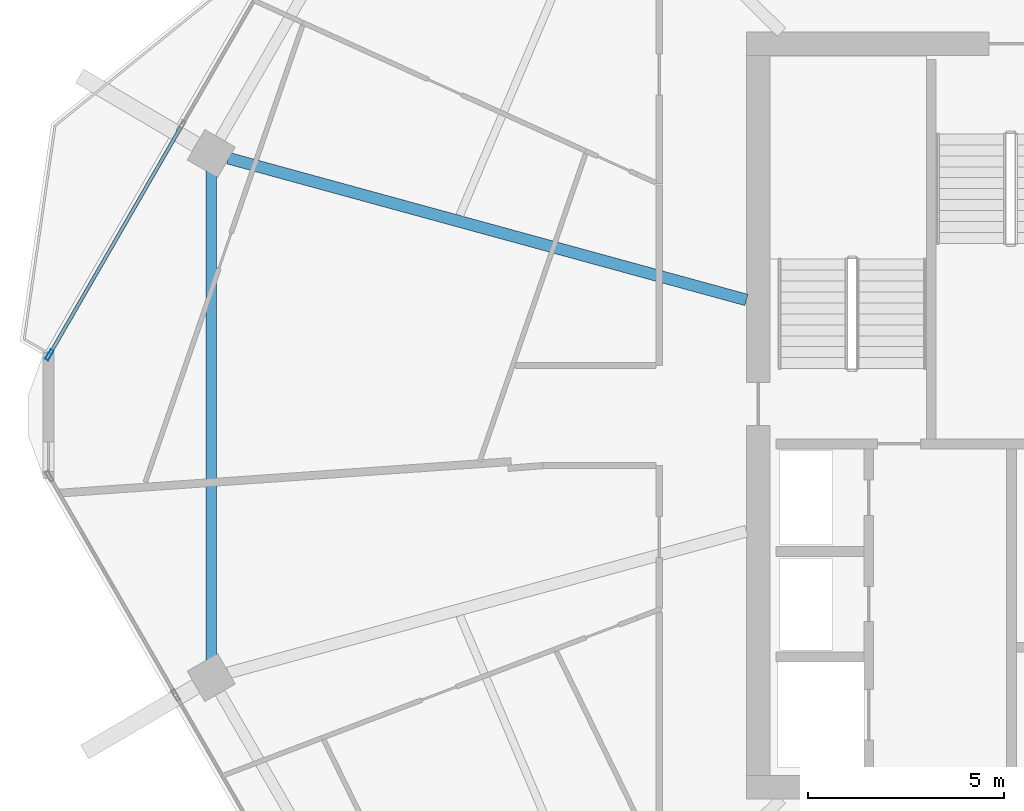
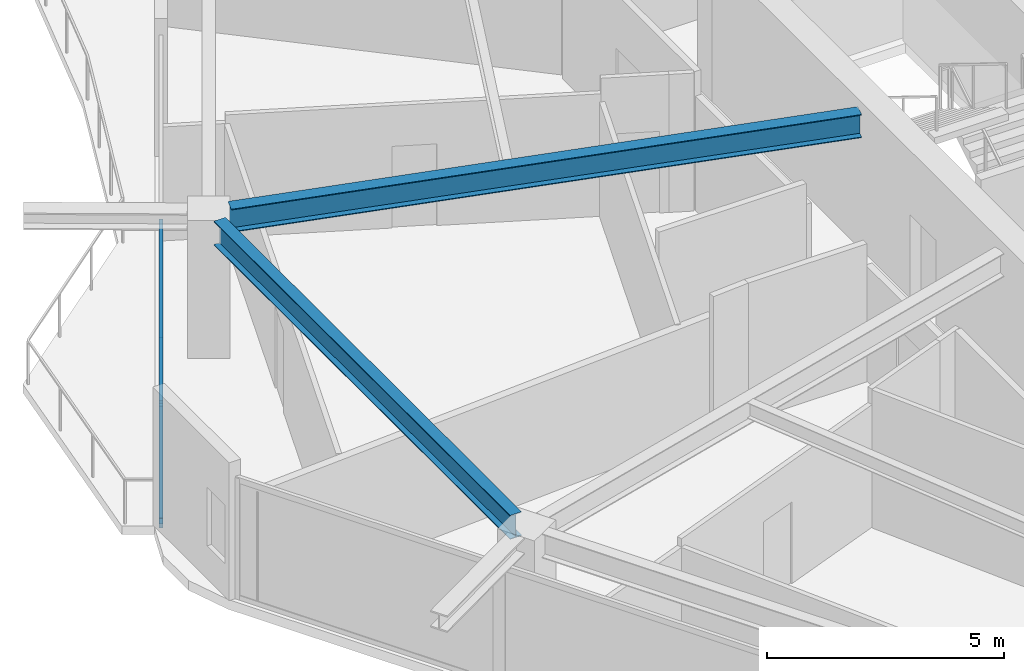
# One storey, part 6 of 25: 3 members, 2 beams, 1 element without a shape of its own.
"""IFC4 building model written with IfcOpenShell, lengths in metres."""

from ifc_helpers import new_model, si_unit, direction, frame, origin, origin_2d, place, context, subcontext, project, spatial, hollow_rectangle, i_section, extrude, material, material_profile, profile_set, type_object, element, aggregate, save


model = new_model("IFC4")

# Units and contexts
model_context = context("Model", 3, precision=1e-05, world=origin(), true_north=direction((0.0, 1.0)))
body_context = subcontext(model_context, "Body", "Model", "MODEL_VIEW")
ifc_project = project(units=[si_unit("LENGTHUNIT", "METRE"), si_unit("AREAUNIT", "SQUARE_METRE"), si_unit("VOLUMEUNIT", "CUBIC_METRE"), si_unit("PLANEANGLEUNIT", "RADIAN"), si_unit("MASSUNIT", "GRAM", prefix="KILO")], contexts=[model_context])

# Site, building, storey
site_placement = place(None, origin())
site = spatial("IfcSite", under=ifc_project, at=site_placement, CompositionType="ELEMENT")
building_placement = place(site_placement, origin())
building = spatial("IfcBuilding", under=site, at=building_placement, Name="Zuhravey Tower", CompositionType="ELEMENT")
storey_placement = place(building_placement, frame((0.0, 0.0, 235.0)))
storey = spatial("IfcBuildingStorey", under=building, at=storey_placement, Name="L59", CompositionType="ELEMENT", Elevation=235.0)

# Curtain wall, members
ifc_material_1 = material(Name="Thermally broken anodised aluminium", Category="aluminium")
curtain_wall_type = type_object("IfcCurtainWallType", Name="Zone 3-4 High-Rise Curtain Wall CW4", PredefinedType="NOTDEFINED", material=ifc_material_1)
curtain_wall_placement = place(storey_placement, origin())
curtain_wall = element("IfcCurtainWall", 1, at=curtain_wall_placement, inside=storey, type_object=curtain_wall_type, Name="L59 CW4 CW-L59-F3-1", PredefinedType="NOTDEFINED")
ifc_material_2 = material(Name="Anodised aluminium", Category="aluminium")
ifc_material_profile_1 = material_profile(ifc_material_2, hollow_rectangle(XDim=0.090087890625, YDim=0.284912109375, WallThickness=0.0048828125, at=origin_2d()), Name="ALU-RHS-90x285x5")
ifc_profile_set_1 = profile_set([ifc_material_profile_1], Name="Anodised aluminium")
member_type_1 = type_object("IfcMemberType", Name="Curtain-Wall Mullion 90x180", PredefinedType="MULLION", material=ifc_profile_set_1)
member_1_placement = place(storey_placement, frame((7.37744140625, 33.551513671875, 0.0), z_axis=(0.0, 0.0, 1.0), x_axis=(-0.866024110615, 0.500002239829, 0.0)))
member_1 = element("IfcMember", 2, at=member_1_placement, type_object=member_type_1, Name="CW4 mullion 1", PredefinedType="MULLION", context=body_context, shape_type="SweptSolid", body=[
    extrude(hollow_rectangle(XDim=0.090087890625, YDim=0.284912109375, WallThickness=0.0048828125, at=origin_2d()), origin(), (0.0, 0.0, 1.0), 3.1220703125),
])
ifc_material_profile_2 = material_profile(ifc_material_2, hollow_rectangle(XDim=0.090087890625, YDim=0.14990234375, WallThickness=0.0048828125, at=origin_2d()), Name="ALU-RHS-90x150x5")
ifc_profile_set_2 = profile_set([ifc_material_profile_2], Name="Anodised aluminium")
member_type_2 = type_object("IfcMemberType", Name="Curtain-Wall Transom 90x150", PredefinedType="USERDEFINED", material=ifc_profile_set_2)
member_2_placement = place(storey_placement, frame((7.39990234375, 33.59033203125, 0.044921875), z_axis=(0.499995078985, 0.866028244915, 0.0), x_axis=(-0.866028244915, 0.499995078985, 0.0)))
member_2 = element("IfcMember", 3, at=member_2_placement, type_object=member_type_2, Name="CW4 transom 1.1", ObjectType="TRANSOM", PredefinedType="USERDEFINED", context=body_context, shape_type="SweptSolid", body=[
    extrude(hollow_rectangle(XDim=0.090087890625, YDim=0.14990234375, WallThickness=0.0048828125, at=origin_2d()), origin(), (0.0, 0.0, 1.0), 6.66650390625),
])
member_3_placement = place(storey_placement, frame((7.39990234375, 33.59033203125, 3.076904296875), z_axis=(0.499995078985, 0.866028244915, 0.0), x_axis=(-0.866028244915, 0.499995078985, 0.0)))
member_3 = element("IfcMember", 4, at=member_3_placement, type_object=member_type_2, Name="CW4 transom 1.2", ObjectType="TRANSOM", PredefinedType="USERDEFINED", context=body_context, shape_type="SweptSolid", body=[
    extrude(hollow_rectangle(XDim=0.090087890625, YDim=0.14990234375, WallThickness=0.0048828125, at=origin_2d()), origin(), (0.0, 0.0, 1.0), 6.66650390625),
])
aggregate(curtain_wall, [member_1, member_2, member_3])

# Beams
ifc_material_3 = material(Name="Steel SM355", Category="steel")
ifc_material_profile_3 = material_profile(ifc_material_3, i_section(OverallWidth=0.280029296875, OverallDepth=0.6201171875, WebThickness=0.011962890625, FlangeThickness=0.02001953125, at=origin_2d()), Name="H-620x280x12x20")
ifc_profile_set_3 = profile_set([ifc_material_profile_3], Name="Steel SM355")
beam_type_1 = type_object("IfcBeamType", Name="Perimeter Ring Beam H620x280", PredefinedType="BEAM", material=ifc_profile_set_3)
beam_1_placement = place(storey_placement, frame((11.515380859375, 38.245849609375, 3.239990234375), z_axis=(0.0, -1.0, 0.0), x_axis=(1.0, 0.0, 0.0)))
element("IfcBeam", 5, at=beam_1_placement, inside=storey, type_object=beam_type_1, Name="L59 PB3 BM-L59-PB-06", PredefinedType="BEAM", context=body_context, shape_type="SweptSolid", body=[
    extrude(i_section(OverallWidth=0.280029296875, OverallDepth=0.6201171875, WebThickness=0.011962890625, FlangeThickness=0.02001953125, at=origin_2d()), origin(), (0.0, 0.0, 1.0), 12.49169921875),
])
ifc_material_profile_4 = material_profile(ifc_material_3, i_section(OverallWidth=0.300048828125, OverallDepth=0.60009765625, WebThickness=0.011962890625, FlangeThickness=0.02001953125, at=origin_2d()), Name="H-600x300x12x20")
ifc_profile_set_4 = profile_set([ifc_material_profile_4], Name="Steel SM355")
beam_type_2 = type_object("IfcBeamType", Name="Radial Primary Girder H600x300", PredefinedType="BEAM", material=ifc_profile_set_4)
beam_2_placement = place(storey_placement, frame((25.197021484375, 34.95556640625, 3.25), z_axis=(-0.964548913045, 0.26390413855, 0.0), x_axis=(-0.26390413855, -0.964548913045, 0.0)))
element("IfcBeam", 6, at=beam_2_placement, inside=storey, type_object=beam_type_2, Name="L59 RG3 BM-L59-RAD-06", PredefinedType="BEAM", context=body_context, shape_type="SweptSolid", body=[
    extrude(i_section(OverallWidth=0.300048828125, OverallDepth=0.60009765625, WebThickness=0.011962890625, FlangeThickness=0.02001953125, at=origin_2d()), origin(), (0.0, 0.0, 1.0), 13.7314453125),
])

save(model, "model.ifc")
